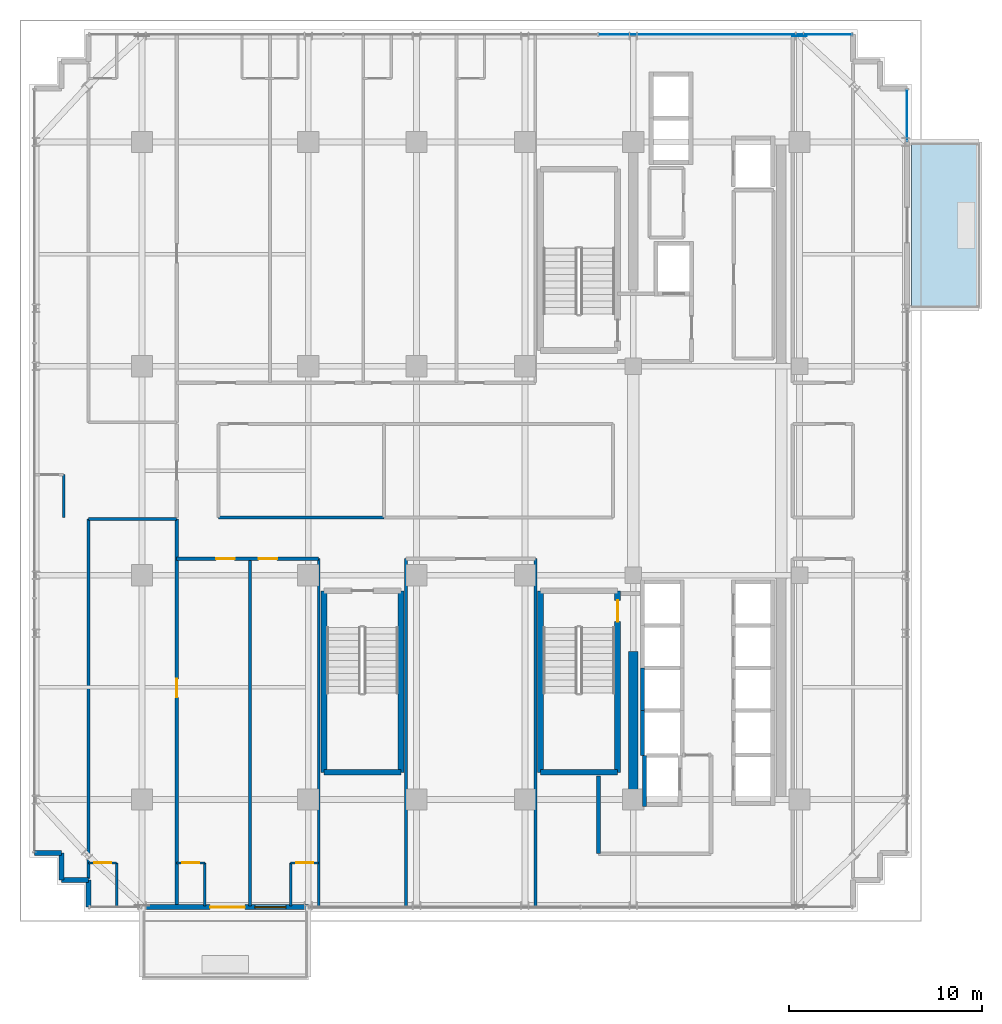
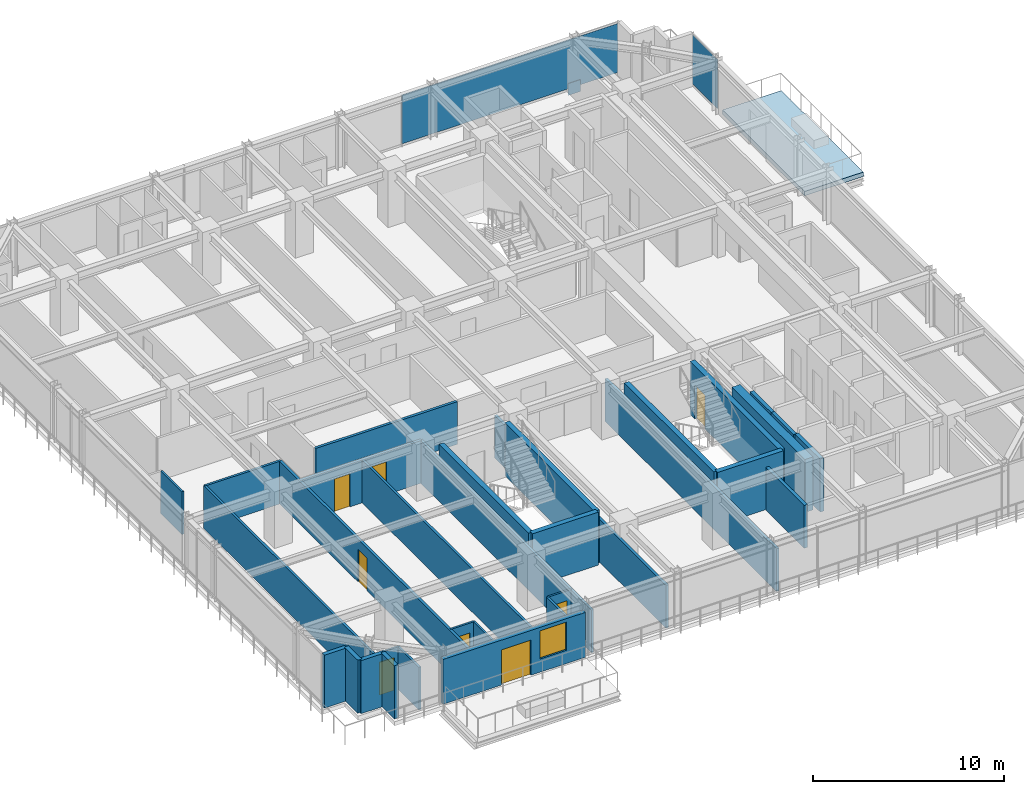
# One storey, part 25 of 33: 32 walls, 8 doors, 3 plates, 1 slab, 1 window, 9 openings, 2 elements without a shape of their own.
"""IFC4 building model written with IfcOpenShell, lengths in metres."""

from ifc_helpers import new_model, si_unit, direction, frame, frame_2d, origin, origin_2d, place, context, subcontext, project, spatial, polyline, rectangle, outline, extrude, source, transform, mapped, material, layer, layer_set, type_object, element, fill, aggregate, save


model = new_model("IFC4")

# Units and contexts
model_context = context("Model", 3, precision=1e-05, world=origin(), true_north=direction((0.0, 1.0)))
body_context = subcontext(model_context, "Body", "Model", "MODEL_VIEW")
ifc_project = project(units=[si_unit("LENGTHUNIT", "METRE"), si_unit("AREAUNIT", "SQUARE_METRE"), si_unit("VOLUMEUNIT", "CUBIC_METRE"), si_unit("PLANEANGLEUNIT", "RADIAN"), si_unit("MASSUNIT", "GRAM", prefix="KILO")], contexts=[model_context])

# Site, building, storey
site_placement = place(None, origin())
site = spatial("IfcSite", under=ifc_project, at=site_placement, CompositionType="ELEMENT")
building_placement = place(site_placement, origin())
building = spatial("IfcBuilding", under=site, at=building_placement, Name="Nahalor Promenade Grand Hotel", CompositionType="ELEMENT")
storey_placement = place(building_placement, frame((0.0, 0.0, 149.0)))
storey = spatial("IfcBuildingStorey", under=building, at=storey_placement, Name="L37", CompositionType="ELEMENT", Elevation=149.0)

# Slab
ifc_material_1 = material(Name="Concrete B-50 (C40/50)", Category="concrete")
ifc_layer_1 = layer(ifc_material_1, 0.280029296875)
ifc_layer_set_1 = layer_set([ifc_layer_1], Name="Concrete B-50 (C40/50)")
slab_type = type_object("IfcSlabType", Name="Slab-Balcony-280", PredefinedType="FLOOR", material=ifc_layer_set_1)
slab_placement = place(storey_placement, frame((0.0, 0.0, -0.280029296875)))
element("IfcSlab", 1, at=slab_placement, inside=storey, type_object=slab_type, Name="L37 Cantilevered Planted Balcony 2", PredefinedType="FLOOR", context=body_context, shape_type="SweptSolid", body=[
    extrude(outline(polyline([(22.800048828125, 8.39990234375), (26.360107421875, 8.39990234375), (26.360107421875, 17.0), (22.800048828125, 17.0), (22.800048828125, 8.39990234375)])), origin(), (0.0, 0.0, 1.0), 0.280029296875),
])

# Plate
ifc_material_2 = material(Name="Steel S355JR", Category="steel")
ifc_layer_2 = layer(ifc_material_2, 0.028076171875)
ifc_layer_set_2 = layer_set([ifc_layer_2], Name="Steel S355JR")
plate_type_1 = type_object("IfcPlateType", Name="Plate-Gusset-28", PredefinedType="USERDEFINED", material=ifc_layer_set_2)
shared_shape_1 = source(origin(), body_context, "Body", "SweptSolid", [
    extrude(rectangle(XDim=0.75, YDim=0.028076171875, at=origin_2d()), origin(), (0.0, 0.0, 1.0), 0.75),
])
plate_1_placement = place(storey_placement, frame((17.0, 22.47998046875, -0.22509765625), z_axis=(0.0, 0.0, 1.0), x_axis=(1.0, 0.0, 0.0)))
element("IfcPlate", 2, at=plate_1_placement, inside=storey, type_object=plate_type_1, Name="PL-L37-KN1-NE", ObjectType="GUSSET_PLATE", PredefinedType="USERDEFINED", context=body_context, shape_type="MappedRepresentation", body=[
    mapped(shared_shape_1, transform((0.0, 0.0, 0.0), scale=1.0)),
])

# Curtain wall, plate
ifc_material_3 = material(Name="Anodised Bronze Aluminium EN AW-6063 T6", Category="aluminium")
curtain_wall_type = type_object("IfcCurtainWallType", Name="CW2 Typical Hotel Flush Bronze Unitised Curtain Wall", PredefinedType="USERDEFINED", material=ifc_material_3)
curtain_wall_1_placement = place(storey_placement, origin())
curtain_wall_1 = element("IfcCurtainWall", 3, at=curtain_wall_1_placement, inside=storey, type_object=curtain_wall_type, Name="L37 Curtain Wall CW-L37-E-3", ObjectType="UNITISED_CURTAIN_WALL", PredefinedType="USERDEFINED")
ifc_material_4 = material(Name="Low-E Laminated Solar Glass", Category="glass")
ifc_layer_3 = layer(ifc_material_4, 0.028076171875)
ifc_layer_set_3 = layer_set([ifc_layer_3], Name="Low-E Laminated Solar Glass")
plate_type_2 = type_object("IfcPlateType", Name="CWP2 Bronze Low-E Vision IGU 28mm", PredefinedType="CURTAIN_PANEL", material=ifc_layer_set_3)
shared_shape_2 = source(origin(), body_context, "Body", "SweptSolid", [
    extrude(rectangle(XDim=2.6298828125, YDim=0.028076171875, at=origin_2d()), origin(), (0.0, 0.0, 1.0), 3.1298828125),
])
plate_2_placement = place(storey_placement, frame((22.56005859375, 18.3798828125, 0.130126953125), z_axis=(0.0, 0.0, 1.0), x_axis=(0.0, 1.0, 0.0)))
plate_2 = element("IfcPlate", 4, at=plate_2_placement, type_object=plate_type_2, Name="CW-L37-E-3 Glazing Panel 0-0", PredefinedType="CURTAIN_PANEL", context=body_context, shape_type="MappedRepresentation", body=[
    mapped(shared_shape_2, transform((0.0, 0.0, 0.0), scale=1.0)),
])
aggregate(curtain_wall_1, [plate_2])

curtain_wall_2_placement = place(storey_placement, origin())
curtain_wall_2 = element("IfcCurtainWall", 5, at=curtain_wall_2_placement, inside=storey, type_object=curtain_wall_type, Name="L37 Curtain Wall CW-L37-N-1", ObjectType="UNITISED_CURTAIN_WALL", PredefinedType="USERDEFINED")
shared_shape_3 = source(origin(), body_context, "Body", "SweptSolid", [
    extrude(rectangle(XDim=13.075927734375, YDim=0.028076171875, at=origin_2d()), origin(), (0.0, 0.0, 1.0), 3.1298828125),
])
plate_3_placement = place(storey_placement, frame((13.156982421875, 22.56005859375, 0.130126953125), z_axis=(0.0, 0.0, 1.0), x_axis=(1.0, 0.0, 0.0)))
plate_3 = element("IfcPlate", 6, at=plate_3_placement, type_object=plate_type_2, Name="CW-L37-N-1 Glazing Panel 2-0", PredefinedType="CURTAIN_PANEL", context=body_context, shape_type="MappedRepresentation", body=[
    mapped(shared_shape_3, transform((0.0, 0.0, 0.0), scale=1.0)),
])
aggregate(curtain_wall_2, [plate_3])

# Walls
ifc_material_5 = material(Name="Concrete B-60 (C50/60)", Category="concrete")
ifc_layer_4 = layer(ifc_material_5, 0.5)
ifc_layer_set_4 = layer_set([ifc_layer_4], Name="Concrete B-60 (C50/60)")
wall_type_1 = type_object("IfcWallType", Name="Wall-CoreShear-500", PredefinedType="SHEAR", material=ifc_layer_set_4)
shared_shape_4 = source(origin(), body_context, "Body", "SweptSolid", [
    extrude(rectangle(XDim=7.64990234375, YDim=0.5, at=frame_2d((3.824951171875, 0.0))), origin(), (0.0, 0.0, 1.0), 3.389892578125),
])
wall_1_placement = place(storey_placement, frame((8.39990234375, -17.0, 0.0), z_axis=(0.0, 0.0, 1.0), x_axis=(0.0, 1.0, 0.0)))
element("IfcWall", 7, at=wall_1_placement, inside=storey, type_object=wall_type_1, Name="CWALL-L37-SW", PredefinedType="SHEAR", context=body_context, shape_type="MappedRepresentation", body=[
    mapped(shared_shape_4, transform((0.0, 0.0, 0.0), scale=1.0)),
])
ifc_layer_5 = layer(ifc_material_1, 0.300048828125)
ifc_layer_set_5 = layer_set([ifc_layer_5], Name="Concrete B-50 (C40/50)")
wall_type_2 = type_object("IfcWallType", Name="Wall-ShaftShear-300", PredefinedType="SHEAR", material=ifc_layer_set_5)
shared_shape_5 = source(origin(), body_context, "Body", "SweptSolid", [
    extrude(rectangle(XDim=3.97998046875, YDim=0.300048828125, at=frame_2d((1.989990234375, 0.0))), origin(), (0.0, 0.0, 1.0), 3.389892578125),
])
for number, where, z_axis, x_axis, name in (
    (8, (3.610107421875, -15.590087890625, 0.0), (0.0, 0.0, 1.0), (1.0, 0.0, 0.0), "L37 Exit Stair ST2 Shaft Wall S"),
    (9, (-7.590087890625, -15.590087890625, 0.0), (0.0, 0.0, 1.0), (1.0, 0.0, 0.0), "L37 Exit Stair ST3 Shaft Wall S"),
):
    element("IfcWall", number, at=place(storey_placement, frame(where, z_axis=z_axis, x_axis=x_axis)), inside=storey, type_object=wall_type_2, Name=name, PredefinedType="SHEAR", context=body_context, shape_type="MappedRepresentation", body=[
        mapped(shared_shape_5, transform((0.0, 0.0, 0.0), scale=1.0)),
    ])
shared_shape_6 = source(origin(), body_context, "Body", "SweptSolid", [
    extrude(rectangle(XDim=9.380126953125, YDim=0.300048828125, at=frame_2d((4.68994140625, 0.0))), origin(), (0.0, 0.0, 1.0), 3.389892578125),
])
wall_2_placement = place(storey_placement, frame((3.610107421875, -15.590087890625, 0.0), z_axis=(0.0, 0.0, 1.0), x_axis=(0.0, 1.0, 0.0)))
element("IfcWall", 10, at=wall_2_placement, inside=storey, type_object=wall_type_2, Name="L37 Exit Stair ST2 Shaft Wall W", PredefinedType="SHEAR", context=body_context, shape_type="MappedRepresentation", body=[
    mapped(shared_shape_6, transform((0.0, 0.0, 0.0), scale=1.0)),
])

# Wall, opening, door
wall_3_placement = place(storey_placement, frame((7.590087890625, -15.590087890625, 0.0), z_axis=(0.0, 0.0, 1.0), x_axis=(0.0, 1.0, 0.0)))
wall_3 = element("IfcWall", 11, at=wall_3_placement, inside=storey, type_object=wall_type_2, Name="L37 Exit Stair ST2 Shaft Wall E", PredefinedType="SHEAR", context=body_context, shape_type="MappedRepresentation", body=[
    mapped(shared_shape_6, transform((0.0, 0.0, 0.0), scale=1.0)),
])
opening_1_placement = place(wall_3_placement, frame((7.7900390625, 0.0, 0.0)))
opening_1 = element("IfcOpeningElement", 12, at=opening_1_placement, cuts=wall_3, Name="Opening D-ST1", PredefinedType="OPENING", context=body_context, shape_type="SweptSolid", body=[
    extrude(rectangle(XDim=1.10009765625, YDim=2.14990234375, at=frame_2d((0.550048828125, 1.074951171875))), frame((0.0, 0.159912109375, 0.0), z_axis=(0.0, -1.0, 0.0), x_axis=(1.0, 0.0, 0.0)), (0.0, 0.0, 1.0), 0.320068359375),
])
door_type_1 = type_object("IfcDoorType", Name="Door-StairFire-1100", OperationType="NOTDEFINED", PredefinedType="DOOR", material=ifc_material_2)
shared_shape_7 = source(origin(), body_context, "Body", "SweptSolid", [
    extrude(rectangle(XDim=1.10009765625, YDim=2.14990234375, at=frame_2d((0.550048828125, 1.074951171875))), frame((0.0, 0.02490234375, 0.0), z_axis=(0.0, -1.0, 0.0), x_axis=(1.0, 0.0, 0.0)), (0.0, 0.0, 1.0), 0.050048828125),
])
door_1_placement = place(opening_1_placement, origin())
door_1 = element("IfcDoor", 13, at=door_1_placement, inside=storey, type_object=door_type_1, Name="DR-STAIR-ST2-L37", OperationType="SINGLE_SWING_RIGHT", OverallHeight=2.14990234375, OverallWidth=1.10009765625, PredefinedType="DOOR", context=body_context, shape_type="MappedRepresentation", body=[
    mapped(shared_shape_7, transform((0.0, 0.0, 0.0), scale=1.0)),
])
fill(opening_1, door_1)

# Walls
for number, where, z_axis, x_axis, name in (
    (14, (-7.590087890625, -15.590087890625, 0.0), (0.0, 0.0, 1.0), (0.0, 1.0, 0.0), "L37 Exit Stair ST3 Shaft Wall W"),
    (15, (-3.610107421875, -15.590087890625, 0.0), (0.0, 0.0, 1.0), (0.0, 1.0, 0.0), "L37 Exit Stair ST3 Shaft Wall E"),
):
    element("IfcWall", number, at=place(storey_placement, frame(where, z_axis=z_axis, x_axis=x_axis)), inside=storey, type_object=wall_type_2, Name=name, PredefinedType="SHEAR", context=body_context, shape_type="MappedRepresentation", body=[
        mapped(shared_shape_6, transform((0.0, 0.0, 0.0), scale=1.0)),
    ])
ifc_layer_6 = layer(ifc_material_1, 0.219970703125)
ifc_layer_set_6 = layer_set([ifc_layer_6], Name="Concrete B-50 (C40/50)")
wall_type_3 = type_object("IfcWallType", Name="Wall-LiftShaft-220", PredefinedType="SHEAR", material=ifc_layer_set_6)
shared_shape_8 = source(origin(), body_context, "Body", "SweptSolid", [
    extrude(rectangle(XDim=2.199951171875, YDim=0.219970703125, at=frame_2d((1.10009765625, 0.0))), origin(), (0.0, 0.0, 1.0), 3.389892578125),
])
wall_4_placement = place(storey_placement, frame((8.8798828125, -12.39990234375, 0.0), z_axis=(0.0, 0.0, 1.0), x_axis=(0.0, 1.0, 0.0)))
element("IfcWall", 16, at=wall_4_placement, inside=storey, type_object=wall_type_3, Name="L37 Lift PL11 Hoistway Wall W", PredefinedType="SHEAR", context=body_context, shape_type="MappedRepresentation", body=[
    mapped(shared_shape_8, transform((0.0, 0.0, 0.0), scale=1.0)),
])
shared_shape_9 = source(origin(), body_context, "Body", "SweptSolid", [
    extrude(rectangle(XDim=2.3251953125, YDim=0.219970703125, at=frame_2d((1.16259765625, 0.0))), origin(), (0.0, 0.0, 1.0), 3.389892578125),
])
wall_5_placement = place(storey_placement, frame((8.8798828125, -14.72509765625, 0.0), z_axis=(0.0, 0.0, 1.0), x_axis=(0.0, 1.0, 0.0)))
element("IfcWall", 17, at=wall_5_placement, inside=storey, type_object=wall_type_3, Name="L37 Lift PL12 Hoistway Wall W", PredefinedType="SHEAR", context=body_context, shape_type="MappedRepresentation", body=[
    mapped(shared_shape_9, transform((0.0, 0.0, 0.0), scale=1.0)),
])
shared_shape_10 = source(origin(), body_context, "Body", "SweptSolid", [
    extrude(rectangle(XDim=2.635009765625, YDim=0.219970703125, at=frame_2d((1.3173828125, 0.0))), origin(), (0.0, 0.0, 1.0), 3.389892578125),
])
wall_6_placement = place(storey_placement, frame((8.97998046875, -17.360107421875, 0.0), z_axis=(0.0, 0.0, 1.0), x_axis=(0.0, 1.0, 0.0)))
element("IfcWall", 18, at=wall_6_placement, inside=storey, type_object=wall_type_3, Name="L37 Lift FL2 Hoistway Wall W", PredefinedType="SHEAR", context=body_context, shape_type="MappedRepresentation", body=[
    mapped(shared_shape_10, transform((0.0, 0.0, 0.0), scale=1.0)),
])
ifc_material_6 = material(Name="Concrete B-40 (C32/40)", Category="concrete")
ifc_layer_7 = layer(ifc_material_6, 0.25)
ifc_layer_set_7 = layer_set([ifc_layer_7], Name="Concrete B-40 (C32/40)")
wall_type_4 = type_object("IfcWallType", Name="Wall-BronzePier-250", PredefinedType="STANDARD", material=ifc_layer_set_7)
shared_shape_11 = source(origin(), body_context, "Body", "SweptSolid", [
    extrude(rectangle(XDim=1.400146484375, YDim=0.25, at=frame_2d((0.7001953125, 0.0))), origin(), (0.0, 0.0, 1.0), 3.389892578125),
])
for number, where, z_axis, x_axis, name in (
    (19, (-22.56005859375, -19.760009765625, 0.0), (0.0, 0.0, 1.0), (1.0, 0.0, 0.0), "W-L37-SR-13"),
    (20, (-19.760009765625, -22.56005859375, 0.0), (0.0, 0.0, 1.0), (0.0, 1.0, 0.0), "W-L37-SR-16"),
):
    element("IfcWall", number, at=place(storey_placement, frame(where, z_axis=z_axis, x_axis=x_axis)), inside=storey, type_object=wall_type_4, Name=name, PredefinedType="STANDARD", context=body_context, shape_type="MappedRepresentation", body=[
        mapped(shared_shape_11, transform((0.0, 0.0, 0.0), scale=1.0)),
    ])
shared_shape_12 = source(origin(), body_context, "Body", "SweptSolid", [
    extrude(rectangle(XDim=1.39990234375, YDim=0.25, at=frame_2d((0.699951171875, 0.0))), origin(), (0.0, 0.0, 1.0), 3.389892578125),
])
for number, where, z_axis, x_axis, name in (
    (21, (-21.159912109375, -21.159912109375, 0.0), (0.0, 0.0, 1.0), (0.0, 1.0, 0.0), "W-L37-SR-14"),
    (22, (-21.159912109375, -21.159912109375, 0.0), (0.0, 0.0, 1.0), (1.0, 0.0, 0.0), "W-L37-SR-15"),
):
    element("IfcWall", number, at=place(storey_placement, frame(where, z_axis=z_axis, x_axis=x_axis)), inside=storey, type_object=wall_type_4, Name=name, PredefinedType="STANDARD", context=body_context, shape_type="MappedRepresentation", body=[
        mapped(shared_shape_12, transform((0.0, 0.0, 0.0), scale=1.0)),
    ])

# Wall, openings, door, window
ifc_layer_8 = layer(ifc_material_6, 0.260009765625)
ifc_layer_set_8 = layer_set([ifc_layer_8], Name="Concrete B-40 (C32/40)")
wall_type_5 = type_object("IfcWallType", Name="Wall-BalconyWall-260", PredefinedType="STANDARD", material=ifc_layer_set_8)
shared_shape_13 = source(origin(), body_context, "Body", "SweptSolid", [
    extrude(rectangle(XDim=8.60009765625, YDim=0.260009765625, at=frame_2d((4.300048828125, 0.0))), origin(), (0.0, 0.0, 1.0), 2.8701171875),
])
wall_7_placement = place(storey_placement, frame((-17.0, -22.56005859375, 0.0), z_axis=(0.0, 0.0, 1.0), x_axis=(1.0, 0.0, 0.0)))
wall_7 = element("IfcWall", 23, at=wall_7_placement, inside=storey, type_object=wall_type_5, Name="W-L37-BALC-S-2", PredefinedType="STANDARD", context=body_context, shape_type="MappedRepresentation", body=[
    mapped(shared_shape_13, transform((0.0, 0.0, 0.0), scale=1.0)),
])
opening_2_placement = place(wall_7_placement, frame((3.52001953125, 0.0, 0.0)))
opening_2 = element("IfcOpeningElement", 24, at=opening_2_placement, cuts=wall_7, Name="Opening D-BC1", PredefinedType="OPENING", context=body_context, shape_type="SweptSolid", body=[
    extrude(rectangle(XDim=1.800048828125, YDim=2.25, at=frame_2d((0.89990234375, 1.125))), frame((0.0, 0.139892578125, 0.0), z_axis=(0.0, -1.0, 0.0), x_axis=(1.0, 0.0, 0.0)), (0.0, 0.0, 1.0), 0.280029296875),
])
opening_3_placement = place(wall_7_placement, frame((5.840087890625, 0.0, 0.85009765625)))
opening_3 = element("IfcOpeningElement", 25, at=opening_3_placement, cuts=wall_7, Name="Opening WN-03", PredefinedType="OPENING", context=body_context, shape_type="SweptSolid", body=[
    extrude(rectangle(XDim=1.60009765625, YDim=1.800048828125, at=frame_2d((0.800048828125, 0.89990234375))), frame((0.0, 0.139892578125, 0.0), z_axis=(0.0, -1.0, 0.0), x_axis=(1.0, 0.0, 0.0)), (0.0, 0.0, 1.0), 0.280029296875),
])
door_type_2 = type_object("IfcDoorType", Name="Door-BalconySlide-1800", OperationType="DOUBLE_DOOR_SLIDING", PredefinedType="DOOR", material=ifc_material_3)
shared_shape_14 = source(origin(), body_context, "Body", "SweptSolid", [
    extrude(rectangle(XDim=1.800048828125, YDim=2.25, at=frame_2d((0.89990234375, 1.125))), frame((0.0, 0.02490234375, 0.0), z_axis=(0.0, -1.0, 0.0), x_axis=(1.0, 0.0, 0.0)), (0.0, 0.0, 1.0), 0.050048828125),
])
door_2_placement = place(opening_2_placement, frame((1.800048828125, 0.0, 0.0), z_axis=(0.0, 0.0, 1.0), x_axis=(-1.0, 0.0, 0.0)))
door_2 = element("IfcDoor", 26, at=door_2_placement, inside=storey, type_object=door_type_2, Name="DR-L37-BALC-S-2", OperationType="DOUBLE_DOOR_SLIDING", OverallHeight=2.25, OverallWidth=1.800048828125, PredefinedType="DOOR", context=body_context, shape_type="MappedRepresentation", body=[
    mapped(shared_shape_14, transform((0.0, 0.0, 0.0), scale=1.0)),
])
fill(opening_2, door_2)
window_type = type_object("IfcWindowType", Name="Win-CrownVented-1600x1800", PartitioningType="SINGLE_PANEL", PredefinedType="WINDOW", material=ifc_material_4)
shared_shape_15 = source(origin(), body_context, "Body", "SweptSolid", [
    extrude(rectangle(XDim=1.60009765625, YDim=1.800048828125, at=frame_2d((0.800048828125, 0.89990234375))), frame((0.0, 0.030029296875, 0.0), z_axis=(0.0, -1.0, 0.0), x_axis=(1.0, 0.0, 0.0)), (0.0, 0.0, 1.0), 0.06005859375),
])
window_placement = place(opening_3_placement, origin())
window = element("IfcWindow", 27, at=window_placement, inside=storey, type_object=window_type, Name="WN-L37-BALC-S-2-1", OverallHeight=1.800048828125, OverallWidth=1.60009765625, PartitioningType="SINGLE_PANEL", PredefinedType="WINDOW", context=body_context, shape_type="MappedRepresentation", body=[
    mapped(shared_shape_15, transform((0.0, 0.0, 0.0), scale=1.0)),
])
fill(opening_3, window)

# Walls
ifc_layer_9 = layer(ifc_material_6, 0.199951171875)
ifc_layer_set_9 = layer_set([ifc_layer_9], Name="Concrete B-40 (C32/40)")
wall_type_6 = type_object("IfcWallType", Name="Wall-PartFire-200", PredefinedType="PARTITIONING", material=ifc_layer_set_9)
shared_shape_16 = source(origin(), body_context, "Body", "SweptSolid", [
    extrude(rectangle(XDim=4.030029296875, YDim=0.199951171875, at=frame_2d((2.01513671875, 0.0))), origin(), (0.0, 0.0, 1.0), 2.72998046875),
])
wall_8_placement = place(storey_placement, frame((6.60009765625, -19.800048828125, 0.0), z_axis=(0.0, 0.0, 1.0), x_axis=(0.0, 1.0, 0.0)))
element("IfcWall", 28, at=wall_8_placement, inside=storey, type_object=wall_type_6, Name="W-L37-FF2-W1", PredefinedType="PARTITIONING", context=body_context, shape_type="MappedRepresentation", body=[
    mapped(shared_shape_16, transform((0.0, 0.0, 0.0), scale=1.0)),
])
ifc_material_7 = material(Name="Acoustic Mineral Gypsum", Category="gypsum")
ifc_layer_10 = layer(ifc_material_7, 0.159912109375)
ifc_layer_set_10 = layer_set([ifc_layer_10], Name="Acoustic Mineral Gypsum")
wall_type_7 = type_object("IfcWallType", Name="Wall-PartCorridor-160", PredefinedType="PARTITIONING", material=ifc_layer_set_10)
shared_shape_17 = source(origin(), body_context, "Body", "SweptSolid", [
    extrude(rectangle(XDim=17.949951171875, YDim=0.159912109375, at=frame_2d((8.97509765625, 0.0))), origin(), (0.0, 0.0, 1.0), 2.72998046875),
])
for number, where, z_axis, x_axis, name in (
    (29, (-3.340087890625, -22.5, 0.0), (0.0, 0.0, 1.0), (0.0, 1.0, 0.0), "W-L37-SCB-W"),
    (30, (3.340087890625, -22.5, 0.0), (0.0, 0.0, 1.0), (0.0, 1.0, 0.0), "W-L37-SCB-E"),
):
    element("IfcWall", number, at=place(storey_placement, frame(where, z_axis=z_axis, x_axis=x_axis)), inside=storey, type_object=wall_type_7, Name=name, PredefinedType="PARTITIONING", context=body_context, shape_type="MappedRepresentation", body=[
        mapped(shared_shape_17, transform((0.0, 0.0, 0.0), scale=1.0)),
    ])

# Wall, opening, door
shared_shape_18 = source(origin(), body_context, "Body", "SweptSolid", [
    extrude(rectangle(XDim=20.0, YDim=0.159912109375, at=frame_2d((10.0, 0.0))), origin(), (0.0, 0.0, 1.0), 2.72998046875),
])
wall_9_placement = place(storey_placement, frame((-15.199951171875, -22.5, 0.0), z_axis=(0.0, 0.0, 1.0), x_axis=(0.0, 1.0, 0.0)))
wall_9 = element("IfcWall", 31, at=wall_9_placement, inside=storey, type_object=wall_type_7, Name="W-L37-ZSW-E", PredefinedType="PARTITIONING", context=body_context, shape_type="MappedRepresentation", body=[
    mapped(shared_shape_18, transform((0.0, 0.0, 0.0), scale=1.0)),
])
opening_4_placement = place(wall_9_placement, frame((10.784912109375, 0.0, 0.0)))
opening_4 = element("IfcOpeningElement", 32, at=opening_4_placement, cuts=wall_9, Name="Opening D-01", PredefinedType="OPENING", context=body_context, shape_type="SweptSolid", body=[
    extrude(rectangle(XDim=0.949951171875, YDim=2.10009765625, at=frame_2d((0.47509765625, 1.050048828125))), frame((0.0, 0.08984375, 0.0), z_axis=(0.0, -1.0, 0.0), x_axis=(1.0, 0.0, 0.0)), (0.0, 0.0, 1.0), 0.179931640625),
])
ifc_material_8 = material(Name="Fire-Rated Timber Composite", Category="wood")
door_type_3 = type_object("IfcDoorType", Name="Door-GuestEntry-950", OperationType="NOTDEFINED", PredefinedType="DOOR", material=ifc_material_8)
shared_shape_19 = source(origin(), body_context, "Body", "SweptSolid", [
    extrude(rectangle(XDim=0.949951171875, YDim=2.10009765625, at=frame_2d((0.47509765625, 1.050048828125))), frame((0.0, 0.02490234375, 0.0), z_axis=(0.0, -1.0, 0.0), x_axis=(1.0, 0.0, 0.0)), (0.0, 0.0, 1.0), 0.050048828125),
])
door_3_placement = place(opening_4_placement, origin())
door_3 = element("IfcDoor", 33, at=door_3_placement, inside=storey, type_object=door_type_3, Name="DR-L37-SW0-ENT", OperationType="SINGLE_SWING_RIGHT", OverallHeight=2.10009765625, OverallWidth=0.949951171875, PredefinedType="DOOR", context=body_context, shape_type="MappedRepresentation", body=[
    mapped(shared_shape_19, transform((0.0, 0.0, 0.0), scale=1.0)),
])
fill(opening_4, door_3)

# Walls
ifc_layer_11 = layer(ifc_material_7, 0.139892578125)
ifc_layer_set_11 = layer_set([ifc_layer_11], Name="Acoustic Mineral Gypsum")
wall_type_8 = type_object("IfcWallType", Name="Wall-PartSuite-140", PredefinedType="PARTITIONING", material=ifc_layer_set_11)
shared_shape_20 = source(origin(), body_context, "Body", "SweptSolid", [
    extrude(rectangle(XDim=18.580078125, YDim=0.139892578125, at=frame_2d((9.2900390625, 0.0))), origin(), (0.0, 0.0, 1.0), 2.72998046875),
])
wall_10_placement = place(storey_placement, frame((-19.760009765625, -21.080078125, 0.0), z_axis=(0.0, 0.0, 1.0), x_axis=(0.0, 1.0, 0.0)))
element("IfcWall", 34, at=wall_10_placement, inside=storey, type_object=wall_type_8, Name="W-L37-ZSW-W", PredefinedType="PARTITIONING", context=body_context, shape_type="MappedRepresentation", body=[
    mapped(shared_shape_20, transform((0.0, 0.0, 0.0), scale=1.0)),
])
shared_shape_21 = source(origin(), body_context, "Body", "SweptSolid", [
    extrude(rectangle(XDim=4.56005859375, YDim=0.139892578125, at=frame_2d((2.280029296875, 0.0))), origin(), (0.0, 0.0, 1.0), 2.72998046875),
])
wall_11_placement = place(storey_placement, frame((-19.760009765625, -2.5, 0.0), z_axis=(0.0, 0.0, 1.0), x_axis=(1.0, 0.0, 0.0)))
element("IfcWall", 35, at=wall_11_placement, inside=storey, type_object=wall_type_8, Name="W-L37-ZSW-N", PredefinedType="PARTITIONING", context=body_context, shape_type="MappedRepresentation", body=[
    mapped(shared_shape_21, transform((0.0, 0.0, 0.0), scale=1.0)),
])

# Wall, opening, door
ifc_layer_12 = layer(ifc_material_7, 0.1201171875)
ifc_layer_set_12 = layer_set([ifc_layer_12], Name="Acoustic Mineral Gypsum")
wall_type_9 = type_object("IfcWallType", Name="Wall-PartBath-120", PredefinedType="PARTITIONING", material=ifc_layer_set_12)
shared_shape_22 = source(origin(), body_context, "Body", "SweptSolid", [
    extrude(rectangle(XDim=1.449951171875, YDim=0.1201171875, at=frame_2d((0.72509765625, 0.0))), origin(), (0.0, 0.0, 1.0), 2.72998046875),
])
wall_12_placement = place(storey_placement, frame((-19.760009765625, -20.280029296875, 0.0), z_axis=(0.0, 0.0, 1.0), x_axis=(1.0, 0.0, 0.0)))
wall_12 = element("IfcWall", 36, at=wall_12_placement, inside=storey, type_object=wall_type_9, Name="W-L37-SW0-BH", PredefinedType="PARTITIONING", context=body_context, shape_type="MappedRepresentation", body=[
    mapped(shared_shape_22, transform((0.0, 0.0, 0.0), scale=1.0)),
])
opening_5_placement = place(wall_12_placement, frame((0.284912109375, 0.0, 0.0)))
opening_5 = element("IfcOpeningElement", 37, at=opening_5_placement, cuts=wall_12, Name="Opening D-03", PredefinedType="OPENING", context=body_context, shape_type="SweptSolid", body=[
    extrude(rectangle(XDim=0.8798828125, YDim=2.10009765625, at=frame_2d((0.43994140625, 1.050048828125))), frame((0.0, 0.070068359375, 0.0), z_axis=(0.0, -1.0, 0.0), x_axis=(1.0, 0.0, 0.0)), (0.0, 0.0, 1.0), 0.14013671875),
])
door_type_4 = type_object("IfcDoorType", Name="Door-BathSwing-880", OperationType="NOTDEFINED", PredefinedType="DOOR", material=ifc_material_8)
shared_shape_23 = source(origin(), body_context, "Body", "SweptSolid", [
    extrude(rectangle(XDim=0.8798828125, YDim=2.10009765625, at=frame_2d((0.43994140625, 1.050048828125))), frame((0.0, 0.02490234375, 0.0), z_axis=(0.0, -1.0, 0.0), x_axis=(1.0, 0.0, 0.0)), (0.0, 0.0, 1.0), 0.050048828125),
])
door_4_placement = place(opening_5_placement, frame((0.8798828125, 0.0, 0.0), z_axis=(0.0, 0.0, 1.0), x_axis=(-1.0, 0.0, 0.0)))
door_4 = element("IfcDoor", 38, at=door_4_placement, inside=storey, type_object=door_type_4, Name="DR-L37-SW0-BATH", OperationType="SINGLE_SWING_LEFT", OverallHeight=2.10009765625, OverallWidth=0.8798828125, PredefinedType="DOOR", context=body_context, shape_type="MappedRepresentation", body=[
    mapped(shared_shape_23, transform((0.0, 0.0, 0.0), scale=1.0)),
])
fill(opening_5, door_4)

wall_13_placement = place(storey_placement, frame((-15.199951171875, -20.280029296875, 0.0), z_axis=(0.0, 0.0, 1.0), x_axis=(1.0, 0.0, 0.0)))
wall_13 = element("IfcWall", 39, at=wall_13_placement, inside=storey, type_object=wall_type_9, Name="W-L37-S1-BH", PredefinedType="PARTITIONING", context=body_context, shape_type="MappedRepresentation", body=[
    mapped(shared_shape_22, transform((0.0, 0.0, 0.0), scale=1.0)),
])
opening_6_placement = place(wall_13_placement, frame((0.284912109375, 0.0, 0.0)))
opening_6 = element("IfcOpeningElement", 40, at=opening_6_placement, cuts=wall_13, Name="Opening D-03", PredefinedType="OPENING", context=body_context, shape_type="SweptSolid", body=[
    extrude(rectangle(XDim=0.8798828125, YDim=2.10009765625, at=frame_2d((0.43994140625, 1.050048828125))), frame((0.0, 0.070068359375, 0.0), z_axis=(0.0, -1.0, 0.0), x_axis=(1.0, 0.0, 0.0)), (0.0, 0.0, 1.0), 0.14013671875),
])
door_5_placement = place(opening_6_placement, frame((0.8798828125, 0.0, 0.0), z_axis=(0.0, 0.0, 1.0), x_axis=(-1.0, 0.0, 0.0)))
door_5 = element("IfcDoor", 41, at=door_5_placement, inside=storey, type_object=door_type_4, Name="DR-L37-S1-BATH", OperationType="SINGLE_SWING_LEFT", OverallHeight=2.10009765625, OverallWidth=0.8798828125, PredefinedType="DOOR", context=body_context, shape_type="MappedRepresentation", body=[
    mapped(shared_shape_23, transform((0.0, 0.0, 0.0), scale=1.0)),
])
fill(opening_6, door_5)

wall_14_placement = place(storey_placement, frame((-9.31005859375, -20.280029296875, 0.0), z_axis=(0.0, 0.0, 1.0), x_axis=(1.0, 0.0, 0.0)))
wall_14 = element("IfcWall", 42, at=wall_14_placement, inside=storey, type_object=wall_type_9, Name="W-L37-S2-BH", PredefinedType="PARTITIONING", context=body_context, shape_type="MappedRepresentation", body=[
    mapped(shared_shape_22, transform((0.0, 0.0, 0.0), scale=1.0)),
])
opening_7_placement = place(wall_14_placement, frame((0.284912109375, 0.0, 0.0)))
opening_7 = element("IfcOpeningElement", 43, at=opening_7_placement, cuts=wall_14, Name="Opening D-03", PredefinedType="OPENING", context=body_context, shape_type="SweptSolid", body=[
    extrude(rectangle(XDim=0.8798828125, YDim=2.10009765625, at=frame_2d((0.43994140625, 1.050048828125))), frame((0.0, 0.070068359375, 0.0), z_axis=(0.0, -1.0, 0.0), x_axis=(1.0, 0.0, 0.0)), (0.0, 0.0, 1.0), 0.14013671875),
])
door_6_placement = place(opening_7_placement, frame((0.8798828125, 0.0, 0.0), z_axis=(0.0, 0.0, 1.0), x_axis=(-1.0, 0.0, 0.0)))
door_6 = element("IfcDoor", 44, at=door_6_placement, inside=storey, type_object=door_type_4, Name="DR-L37-S2-BATH", OperationType="SINGLE_SWING_LEFT", OverallHeight=2.10009765625, OverallWidth=0.8798828125, PredefinedType="DOOR", context=body_context, shape_type="MappedRepresentation", body=[
    mapped(shared_shape_23, transform((0.0, 0.0, 0.0), scale=1.0)),
])
fill(opening_7, door_6)

# Walls
shared_shape_24 = source(origin(), body_context, "Body", "SweptSolid", [
    extrude(rectangle(XDim=2.219970703125, YDim=0.1201171875, at=frame_2d((1.10986328125, 0.0))), origin(), (0.0, 0.0, 1.0), 2.72998046875),
])
for number, where, z_axis, x_axis, name in (
    (45, (-18.31005859375, -22.5, 0.0), (0.0, 0.0, 1.0), (0.0, 1.0, 0.0), "W-L37-SW0-BV"),
    (46, (-13.75, -22.5, 0.0), (0.0, 0.0, 1.0), (0.0, 1.0, 0.0), "W-L37-S1-BV"),
    (47, (-9.31005859375, -22.5, 0.0), (0.0, 0.0, 1.0), (0.0, 1.0, 0.0), "W-L37-S2-BV"),
    (48, (-21.050048828125, -2.419921875, 0.0), (0.0, 0.0, 1.0), (0.0, 1.0, 0.0), "W-L37-W1-BV"),
):
    element("IfcWall", number, at=place(storey_placement, frame(where, z_axis=z_axis, x_axis=x_axis)), inside=storey, type_object=wall_type_9, Name=name, PredefinedType="PARTITIONING", context=body_context, shape_type="MappedRepresentation", body=[
        mapped(shared_shape_24, transform((0.0, 0.0, 0.0), scale=1.0)),
    ])
shared_shape_25 = source(origin(), body_context, "Body", "SweptSolid", [
    extrude(rectangle(XDim=17.949951171875, YDim=0.139892578125, at=frame_2d((8.97509765625, 0.0))), origin(), (0.0, 0.0, 1.0), 2.72998046875),
])
for number, where, z_axis, x_axis, name in (
    (49, (-7.860107421875, -22.5, 0.0), (0.0, 0.0, 1.0), (0.0, 1.0, 0.0), "W-L37-SW-ENDE"),
    (50, (-11.409912109375, -22.5, 0.0), (0.0, 0.0, 1.0), (0.0, 1.0, 0.0), "W-L37-SP-1"),
):
    element("IfcWall", number, at=place(storey_placement, frame(where, z_axis=z_axis, x_axis=x_axis)), inside=storey, type_object=wall_type_8, Name=name, PredefinedType="PARTITIONING", context=body_context, shape_type="MappedRepresentation", body=[
        mapped(shared_shape_25, transform((0.0, 0.0, 0.0), scale=1.0)),
    ])

# Wall, openings, doors
shared_shape_26 = source(origin(), body_context, "Body", "SweptSolid", [
    extrude(rectangle(XDim=7.33984375, YDim=0.159912109375, at=frame_2d((3.669921875, 0.0))), origin(), (0.0, 0.0, 1.0), 2.72998046875),
])
wall_15_placement = place(storey_placement, frame((-15.199951171875, -4.550048828125, 0.0), z_axis=(0.0, 0.0, 1.0), x_axis=(1.0, 0.0, 0.0)))
wall_15 = element("IfcWall", 51, at=wall_15_placement, inside=storey, type_object=wall_type_7, Name="W-L37-CORR-S", PredefinedType="PARTITIONING", context=body_context, shape_type="MappedRepresentation", body=[
    mapped(shared_shape_26, transform((0.0, 0.0, 0.0), scale=1.0)),
])
opening_8_placement = place(wall_15_placement, frame((2.0380859375, 0.0, 0.0)))
opening_8 = element("IfcOpeningElement", 52, at=opening_8_placement, cuts=wall_15, Name="Opening D-01", PredefinedType="OPENING", context=body_context, shape_type="SweptSolid", body=[
    extrude(rectangle(XDim=0.949951171875, YDim=2.10009765625, at=frame_2d((0.47509765625, 1.050048828125))), frame((0.0, 0.08984375, 0.0), z_axis=(0.0, -1.0, 0.0), x_axis=(1.0, 0.0, 0.0)), (0.0, 0.0, 1.0), 0.179931640625),
])
opening_9_placement = place(wall_15_placement, frame((4.23388671875, 0.0, 0.0)))
opening_9 = element("IfcOpeningElement", 53, at=opening_9_placement, cuts=wall_15, Name="Opening D-01", PredefinedType="OPENING", context=body_context, shape_type="SweptSolid", body=[
    extrude(rectangle(XDim=0.949951171875, YDim=2.10009765625, at=frame_2d((0.47509765625, 1.050048828125))), frame((0.0, 0.08984375, 0.0), z_axis=(0.0, -1.0, 0.0), x_axis=(1.0, 0.0, 0.0)), (0.0, 0.0, 1.0), 0.179931640625),
])
door_7_placement = place(opening_8_placement, frame((0.949951171875, 0.0, 0.0), z_axis=(0.0, 0.0, 1.0), x_axis=(-1.0, 0.0, 0.0)))
door_7 = element("IfcDoor", 54, at=door_7_placement, inside=storey, type_object=door_type_3, Name="DR-L37-S1-ENT", OperationType="SINGLE_SWING_RIGHT", OverallHeight=2.10009765625, OverallWidth=0.949951171875, PredefinedType="DOOR", context=body_context, shape_type="MappedRepresentation", body=[
    mapped(shared_shape_19, transform((0.0, 0.0, 0.0), scale=1.0)),
])
fill(opening_8, door_7)
door_8_placement = place(opening_9_placement, frame((0.949951171875, 0.0, 0.0), z_axis=(0.0, 0.0, 1.0), x_axis=(-1.0, 0.0, 0.0)))
door_8 = element("IfcDoor", 55, at=door_8_placement, inside=storey, type_object=door_type_3, Name="DR-L37-S2-ENT", OperationType="SINGLE_SWING_RIGHT", OverallHeight=2.10009765625, OverallWidth=0.949951171875, PredefinedType="DOOR", context=body_context, shape_type="MappedRepresentation", body=[
    mapped(shared_shape_19, transform((0.0, 0.0, 0.0), scale=1.0)),
])
fill(opening_9, door_8)

# Wall
shared_shape_27 = source(origin(), body_context, "Body", "SweptSolid", [
    extrude(rectangle(XDim=8.568115234375, YDim=0.159912109375, at=frame_2d((4.2841796875, 0.0))), origin(), (0.0, 0.0, 1.0), 2.72998046875),
])
wall_16_placement = place(storey_placement, frame((-13.050048828125, -2.419921875, 0.0), z_axis=(0.0, 0.0, 1.0), x_axis=(1.0, 0.0, 0.0)))
element("IfcWall", 56, at=wall_16_placement, inside=storey, type_object=wall_type_7, Name="W-L37-CM1-S", PredefinedType="PARTITIONING", context=body_context, shape_type="MappedRepresentation", body=[
    mapped(shared_shape_27, transform((0.0, 0.0, 0.0), scale=1.0)),
])

save(model, "model.ifc")
